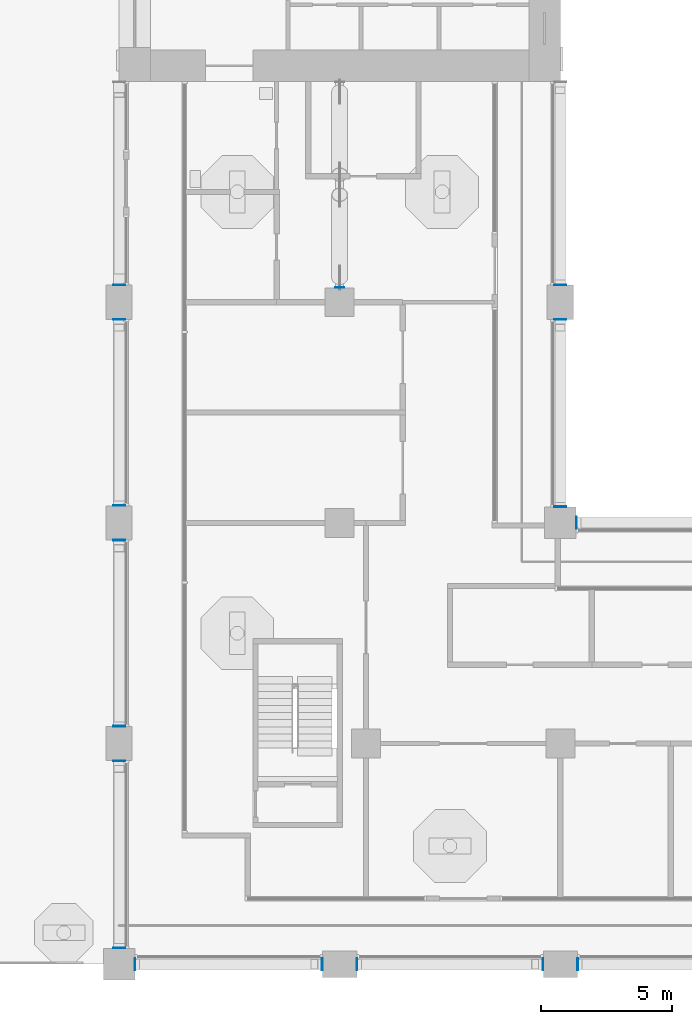
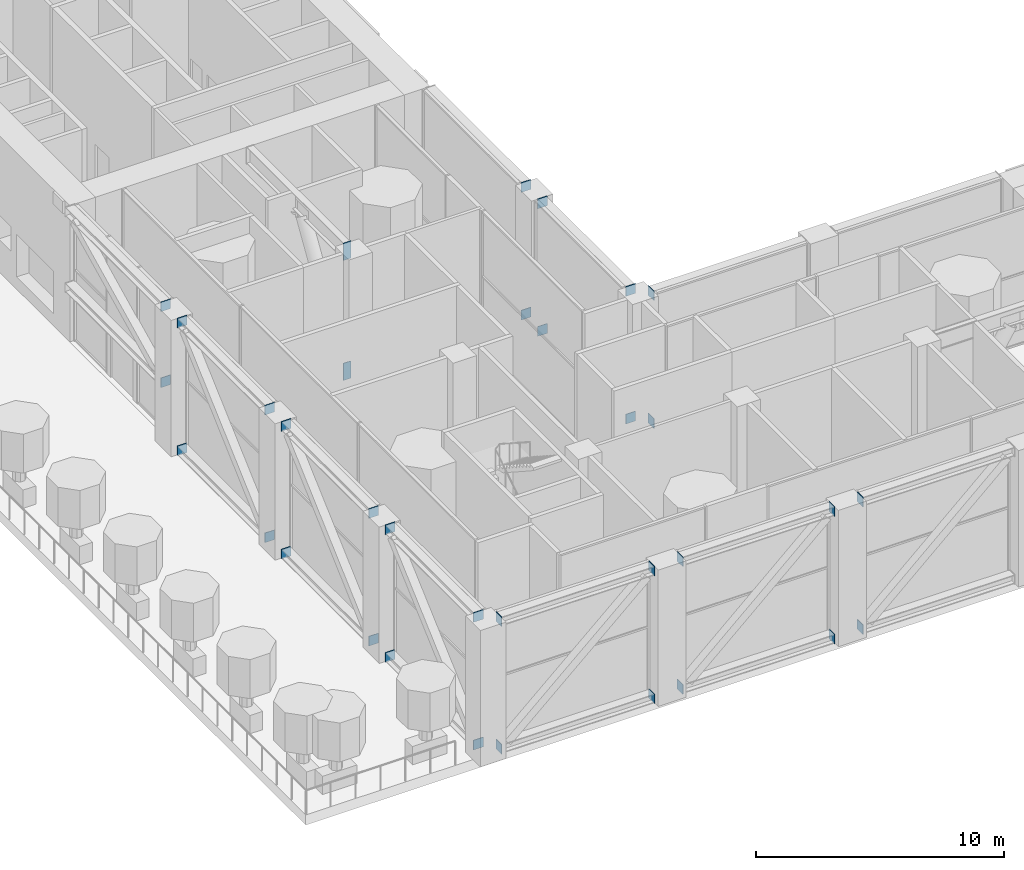
# One storey, part 14 of 22: 34 discrete accessories.
"""IFC4 building model written with IfcOpenShell, lengths in metres."""

import ifcopenshell
import ifcopenshell.guid

model = None  # the IFC model being written
_history = None  # IfcOwnerHistory: only IFC2X3 demands one
_inside = {}  # id of a spatial element -> (the spatial element, [elements in it])
_under = {}  # id of a project, library or spatial element -> (it, [spatial elements below it])
_declared = {}  # id of a project -> (the project, [libraries it declares])
_typed = {}  # id of a type object -> (the type object, [elements of that type])
_made_of = {}  # id of a material, layer set ... -> (it, [elements and type objects made of it])


def new_model(schema):
    """Start an empty IFC model of exactly this schema.

    Asked for "IFC4X3", IfcOpenShell would pick the latest addendum, in which some entities
    have other attributes; the version numbers below select the first issue.
    IFC2X3 requires an IfcOwnerHistory on every rooted entity: one is made here for all.
    """
    global model, _history
    if schema == "IFC4X3":
        model = ifcopenshell.file(schema_version=(4, 3, 0, 0))
    else:
        model = ifcopenshell.file(schema=schema)
    _inside.clear()
    _under.clear()
    _declared.clear()
    _typed.clear()
    _made_of.clear()
    _history = None
    if model.schema == "IFC2X3":
        org = make("IfcOrganization", Name="unknown")
        user = make(
            "IfcPersonAndOrganization",
            ThePerson=make("IfcPerson", FamilyName="unknown"),
            TheOrganization=org,
        )
        app = make(
            "IfcApplication",
            ApplicationDeveloper=org,
            Version="unknown",
            ApplicationFullName="unknown",
            ApplicationIdentifier="unknown",
        )
        _history = make(
            "IfcOwnerHistory",
            OwningUser=user,
            OwningApplication=app,
            ChangeAction="ADDED",
            CreationDate=0,
        )
    return model


def make(cls, **values):
    """One entity of the class cls with the attributes given. An attribute that is None is left unset."""
    return model.create_entity(
        cls, **{name: value for name, value in values.items() if value is not None}
    )


def rooted(cls, **values):
    """An entity with a GlobalId (a new one), such as an element, a storey or a relation."""
    return make(cls, GlobalId=ifcopenshell.guid.new(), OwnerHistory=_history, **values)


def si_unit(unit_type, name, prefix=None):
    """IfcSIUnit, for example si_unit("LENGTHUNIT", "METRE", prefix="MILLI")."""
    return make("IfcSIUnit", UnitType=unit_type, Prefix=prefix, Name=name)


def assignment(units):
    """IfcUnitAssignment: the units of a project."""
    return None if units is None else make("IfcUnitAssignment", Units=units)


def point(xyz):
    """IfcCartesianPoint."""
    return None if xyz is None else make("IfcCartesianPoint", Coordinates=xyz)


def direction(xyz):
    """IfcDirection."""
    return None if xyz is None else make("IfcDirection", DirectionRatios=xyz)


def frame(location, z_axis=None, x_axis=None):
    """IfcAxis2Placement3D, a coordinate frame: its origin and axes. An axis left out is left unset."""
    return make(
        "IfcAxis2Placement3D",
        Location=point(location),
        Axis=direction(z_axis),
        RefDirection=direction(x_axis),
    )


def frame_2d(location, x_axis=None):
    """IfcAxis2Placement2D, a coordinate frame in the plane: its origin and x axis."""
    return make(
        "IfcAxis2Placement2D", Location=point(location), RefDirection=direction(x_axis)
    )


def origin():
    """The frame at (0, 0, 0) with its axes left unset."""
    return frame((0.0, 0.0, 0.0))


def origin_2d():
    """The frame at (0, 0) in the plane with its x axis left unset."""
    return frame_2d((0.0, 0.0))


def place(relative_to, where):
    """IfcLocalPlacement: puts the frame where relative to a parent placement (None: the world)."""
    return make(
        "IfcLocalPlacement", PlacementRelTo=relative_to, RelativePlacement=where
    )


def context(
    kind, dimensions, precision=None, world=None, true_north=None, identifier=None
):
    """IfcGeometricRepresentationContext, for example the 3D "Model" context."""
    return make(
        "IfcGeometricRepresentationContext",
        ContextIdentifier=identifier,
        ContextType=kind,
        CoordinateSpaceDimension=dimensions,
        Precision=precision,
        WorldCoordinateSystem=world,
        TrueNorth=true_north,
    )


def subcontext(parent, identifier, kind, view, scale=None):
    """IfcGeometricRepresentationSubContext, for example "Body" below "Model"."""
    return make(
        "IfcGeometricRepresentationSubContext",
        ContextIdentifier=identifier,
        ContextType=kind,
        ParentContext=parent,
        TargetScale=scale,
        TargetView=view,
    )


def project(units=None, contexts=None):
    """IfcProject with its units and contexts."""
    return rooted(
        "IfcProject",
        Name="project",
        RepresentationContexts=contexts,
        UnitsInContext=assignment(units),
    )


def spatial(cls, under=None, at=None, **own):
    """A site, building, storey or space (cls), placed at a placement, below another one or the project."""
    s = rooted(cls, ObjectPlacement=at, **own)
    if under is not None:
        _under.setdefault(under.id(), (under, []))[1].append(s)
    return s


def profile(cls, at=None, kind="AREA", **sizes):
    """A parametric profile (cls). Its sizes go by their IFC names, for example OverallWidth=200.0."""
    return make(cls, ProfileType=kind, Position=at, **sizes)


def rectangle(**sizes):
    """IfcRectangleProfileDef."""
    return profile("IfcRectangleProfileDef", **sizes)


def extrude(swept, where, along, depth):
    """IfcExtrudedAreaSolid: the profile swept, set in the frame where, extruded along a direction by depth."""
    return make(
        "IfcExtrudedAreaSolid",
        SweptArea=swept,
        Position=where,
        ExtrudedDirection=direction(along),
        Depth=depth,
    )


def shape(context_of_items, identifier, shape_type, items):
    """IfcShapeRepresentation: the items that make up one representation, for example the "Body"."""
    return make(
        "IfcShapeRepresentation",
        ContextOfItems=context_of_items,
        RepresentationIdentifier=identifier,
        RepresentationType=shape_type,
        Items=items,
    )


def made_of(thing, what):
    """Note that an element or type object is made of a material, layer set ...; save() writes the relation."""
    if what is not None:
        _made_of.setdefault(what.id(), (what, []))[1].append(thing)
    return thing


def element(
    cls,
    number,
    at=None,
    inside=None,
    cuts=None,
    type_object=None,
    material=None,
    context=None,
    identifier="Body",
    shape_type=None,
    held_by="IfcProductDefinitionShape",
    body=None,
    shapes=None,
    **own,
):
    """One element of the class cls, such as IfcWall. Its Tag is "e" and its number.

    at: its placement. inside: the storey or other place that contains it. cuts: it is an
    opening in that element (IfcRelVoidsElement). A single representation is given by context,
    identifier, shape_type and body (its items); several are given by shapes. held_by: the class
    of the entity that holds the representations. save() writes the other relations.
    """
    e = rooted(cls, Tag="e%d" % number, ObjectPlacement=at, **own)
    if body is not None:
        shapes = [shape(context, identifier, shape_type, body)]
    if shapes is not None:
        e.Representation = make(held_by, Representations=shapes)
    if inside is not None:
        _inside.setdefault(inside.id(), (inside, []))[1].append(e)
    if cuts is not None:
        rooted(
            "IfcRelVoidsElement", RelatingBuildingElement=cuts, RelatedOpeningElement=e
        )
    if type_object is not None:
        _typed.setdefault(type_object.id(), (type_object, []))[1].append(e)
    return made_of(e, material)


def aggregate(whole, parts):
    """IfcRelAggregates: a whole, such as a stair, and the parts it consists of."""
    return rooted("IfcRelAggregates", RelatingObject=whole, RelatedObjects=parts)


def save(model, path):
    """Write the relations noted so far, then the file.

    IfcRelAggregates (storeys below a building ...), IfcRelContainedInSpatialStructure (elements
    in a storey), IfcRelDefinesByType, IfcRelAssociatesMaterial and IfcRelDeclares: one each for
    every whole, place, type object, material and project.
    """
    for whole, parts in _under.values():
        aggregate(whole, parts)
    for where, things in _inside.values():
        rooted(
            "IfcRelContainedInSpatialStructure",
            RelatedElements=things,
            RelatingStructure=where,
        )
    for kind, things in _typed.values():
        rooted("IfcRelDefinesByType", RelatedObjects=things, RelatingType=kind)
    for what, things in _made_of.values():
        rooted("IfcRelAssociatesMaterial", RelatedObjects=things, RelatingMaterial=what)
    for by, libraries in _declared.values():
        rooted("IfcRelDeclares", RelatingContext=by, RelatedDefinitions=libraries)
    model.write(path)


model = new_model("IFC4")

# Units and contexts
model_context = context("Model", 3, precision=1e-05, world=origin(), true_north=direction((0.0, 1.0)))
body_context = subcontext(model_context, "Body", "Model", "MODEL_VIEW")
ifc_project = project(units=[si_unit("LENGTHUNIT", "METRE"), si_unit("AREAUNIT", "SQUARE_METRE"), si_unit("VOLUMEUNIT", "CUBIC_METRE"), si_unit("PLANEANGLEUNIT", "RADIAN"), si_unit("MASSUNIT", "GRAM", prefix="KILO")], contexts=[model_context])

# Site, building, storey
site_placement = place(None, origin())
site = spatial("IfcSite", under=ifc_project, at=site_placement, CompositionType="ELEMENT")
building_placement = place(site_placement, origin())
building = spatial("IfcBuilding", under=site, at=building_placement, Name="Vermilion Gate Residences", CompositionType="ELEMENT")
storey_placement = place(building_placement, frame((0.0, 0.0, 140.699951171875)))
storey = spatial("IfcBuildingStorey", under=building, at=storey_placement, Name="L36", CompositionType="ELEMENT", Elevation=140.699951171875)

# Discrete accessories
for number, where, z_axis, x_axis, name in (
    (1, (9.012451171875, 8.39990234375, -0.02490234375), (0.0, 0.0, 1.0), (1.0, 0.0, 0.0), "End plate B36BELT21B 1"),
    (2, (16.137451171875, 8.39990234375, -0.02490234375), (0.0, 0.0, 1.0), (1.0, 0.0, 0.0), "End plate B36BELT21B 2"),
    (3, (9.012451171875, 8.39990234375, 6.26708984375), (0.0, 0.0, 1.0), (1.0, 0.0, 0.0), "End plate B36BELT21T 1"),
    (4, (16.137451171875, 8.39990234375, 6.26708984375), (0.0, 0.0, 1.0), (1.0, 0.0, 0.0), "End plate B36BELT21T 2"),
):
    element("IfcDiscreteAccessory", number, at=place(storey_placement, frame(where, z_axis=z_axis, x_axis=x_axis)), inside=storey, Name=name, ObjectType="END PLATE", PredefinedType="USERDEFINED", context=body_context, shape_type="SweptSolid", body=[
        extrude(rectangle(XDim=0.02490234375, YDim=0.45703125, at=origin_2d()), origin(), (0.0, 0.0, 1.0), 0.47802734375),
    ])
for number, where, z_axis, x_axis, name in (
    (5, (8.39990234375, 9.012451171875, -0.02490234375), (0.0, 0.0, 1.0), (1.0, 0.0, 0.0), "End plate B36BELT22B 1"),
    (6, (8.39990234375, 16.137451171875, -0.02490234375), (0.0, 0.0, 1.0), (1.0, 0.0, 0.0), "End plate B36BELT22B 2"),
    (7, (8.39990234375, 9.012451171875, 6.26708984375), (0.0, 0.0, 1.0), (1.0, 0.0, 0.0), "End plate B36BELT22T 1"),
    (8, (8.39990234375, 16.137451171875, 6.26708984375), (0.0, 0.0, 1.0), (1.0, 0.0, 0.0), "End plate B36BELT22T 2"),
    (9, (8.39990234375, 17.46240234375, -0.02490234375), (0.0, 0.0, 1.0), (1.0, 0.0, 0.0), "End plate B36BELT23B 1"),
    (10, (8.39990234375, 24.53759765625, -0.02490234375), (0.0, 0.0, 1.0), (1.0, 0.0, 0.0), "End plate B36BELT23B 2"),
    (11, (8.39990234375, 17.46240234375, 6.26708984375), (0.0, 0.0, 1.0), (1.0, 0.0, 0.0), "End plate B36BELT23T 1"),
    (12, (8.39990234375, 24.53759765625, 6.26708984375), (0.0, 0.0, 1.0), (1.0, 0.0, 0.0), "End plate B36BELT23T 2"),
    (13, (8.39990234375, 25.862548828125, -0.02490234375), (0.0, 0.0, 1.0), (1.0, 0.0, 0.0), "End plate B36BELT24B 1"),
    (14, (8.39990234375, 32.9375, -0.02490234375), (0.0, 0.0, 1.0), (1.0, 0.0, 0.0), "End plate B36BELT24B 2"),
    (15, (8.39990234375, 25.862548828125, 6.26708984375), (0.0, 0.0, 1.0), (1.0, 0.0, 0.0), "End plate B36BELT24T 1"),
    (16, (8.39990234375, 32.9375, 6.26708984375), (0.0, 0.0, 1.0), (1.0, 0.0, 0.0), "End plate B36BELT24T 2"),
    (17, (8.39990234375, 34.262451171875, 2.525146484375), (0.0, 0.0, 1.0), (1.0, 0.0, 0.0), "End plate B36BELT25B 1"),
    (18, (8.39990234375, 34.262451171875, 6.26708984375), (0.0, 0.0, 1.0), (1.0, 0.0, 0.0), "End plate B36BELT25T 1"),
):
    element("IfcDiscreteAccessory", number, at=place(storey_placement, frame(where, z_axis=z_axis, x_axis=x_axis)), inside=storey, Name=name, ObjectType="END PLATE", PredefinedType="USERDEFINED", context=body_context, shape_type="SweptSolid", body=[
        extrude(rectangle(XDim=0.45703125, YDim=0.02490234375, at=origin_2d()), origin(), (0.0, 0.0, 1.0), 0.47802734375),
    ])
for number, where, z_axis, x_axis, name in (
    (19, (17.46240234375, 8.39990234375, -0.02490234375), (0.0, 0.0, 1.0), (1.0, 0.0, 0.0), "End plate B36BELT26B 1"),
    (20, (24.53759765625, 8.39990234375, -0.02490234375), (0.0, 0.0, 1.0), (1.0, 0.0, 0.0), "End plate B36BELT26B 2"),
    (21, (17.46240234375, 8.39990234375, 6.26708984375), (0.0, 0.0, 1.0), (1.0, 0.0, 0.0), "End plate B36BELT26T 1"),
    (22, (24.53759765625, 8.39990234375, 6.26708984375), (0.0, 0.0, 1.0), (1.0, 0.0, 0.0), "End plate B36BELT26T 2"),
):
    element("IfcDiscreteAccessory", number, at=place(storey_placement, frame(where, z_axis=z_axis, x_axis=x_axis)), inside=storey, Name=name, ObjectType="END PLATE", PredefinedType="USERDEFINED", context=body_context, shape_type="SweptSolid", body=[
        extrude(rectangle(XDim=0.02490234375, YDim=0.45703125, at=origin_2d()), origin(), (0.0, 0.0, 1.0), 0.47802734375),
    ])
for number, where, z_axis, x_axis, name in (
    (23, (25.199951171875, 25.8125, -0.02490234375), (0.0, 0.0, 1.0), (1.0, 0.0, 0.0), "End plate B36BELT27B 1"),
    (24, (25.199951171875, 32.9375, -0.02490234375), (0.0, 0.0, 1.0), (1.0, 0.0, 0.0), "End plate B36BELT27B 2"),
    (25, (25.199951171875, 25.8125, 6.26708984375), (0.0, 0.0, 1.0), (1.0, 0.0, 0.0), "End plate B36BELT27T 1"),
    (26, (25.199951171875, 32.9375, 6.26708984375), (0.0, 0.0, 1.0), (1.0, 0.0, 0.0), "End plate B36BELT27T 2"),
    (27, (25.199951171875, 34.262451171875, -0.02490234375), (0.0, 0.0, 1.0), (1.0, 0.0, 0.0), "End plate B36BELT28B 1"),
    (28, (25.199951171875, 34.262451171875, 6.26708984375), (0.0, 0.0, 1.0), (1.0, 0.0, 0.0), "End plate B36BELT28T 1"),
):
    element("IfcDiscreteAccessory", number, at=place(storey_placement, frame(where, z_axis=z_axis, x_axis=x_axis)), inside=storey, Name=name, ObjectType="END PLATE", PredefinedType="USERDEFINED", context=body_context, shape_type="SweptSolid", body=[
        extrude(rectangle(XDim=0.45703125, YDim=0.02490234375, at=origin_2d()), origin(), (0.0, 0.0, 1.0), 0.47802734375),
    ])
for number, where, z_axis, x_axis, name in (
    (29, (25.862548828125, 8.39990234375, -0.02490234375), (0.0, 0.0, 1.0), (1.0, 0.0, 0.0), "End plate B36BELT29B 1"),
    (30, (25.862548828125, 8.39990234375, 6.26708984375), (0.0, 0.0, 1.0), (1.0, 0.0, 0.0), "End plate B36BELT29T 1"),
    (31, (25.8125, 25.199951171875, -0.02490234375), (0.0, 0.0, 1.0), (1.0, 0.0, 0.0), "End plate B36BELT30B 1"),
    (32, (25.8125, 25.199951171875, 6.26708984375), (0.0, 0.0, 1.0), (1.0, 0.0, 0.0), "End plate B36BELT30T 1"),
):
    element("IfcDiscreteAccessory", number, at=place(storey_placement, frame(where, z_axis=z_axis, x_axis=x_axis)), inside=storey, Name=name, ObjectType="END PLATE", PredefinedType="USERDEFINED", context=body_context, shape_type="SweptSolid", body=[
        extrude(rectangle(XDim=0.02490234375, YDim=0.45703125, at=origin_2d()), origin(), (0.0, 0.0, 1.0), 0.47802734375),
    ])
for number, where, z_axis, x_axis, name in (
    (33, (16.800048828125, 34.16259765625, -0.02490234375), (0.0, 0.0, 1.0), (1.0, 0.0, 0.0), "End plate O36OUT7B 2"),
    (34, (16.800048828125, 34.16259765625, 5.89501953125), (0.0, 0.0, 1.0), (1.0, 0.0, 0.0), "End plate O36OUT7T 2"),
):
    element("IfcDiscreteAccessory", number, at=place(storey_placement, frame(where, z_axis=z_axis, x_axis=x_axis)), inside=storey, Name=name, ObjectType="END PLATE", PredefinedType="USERDEFINED", context=body_context, shape_type="SweptSolid", body=[
        extrude(rectangle(XDim=0.35009765625, YDim=0.02490234375, at=origin_2d()), origin(), (0.0, 0.0, 1.0), 0.85009765625),
    ])

save(model, "model.ifc")
